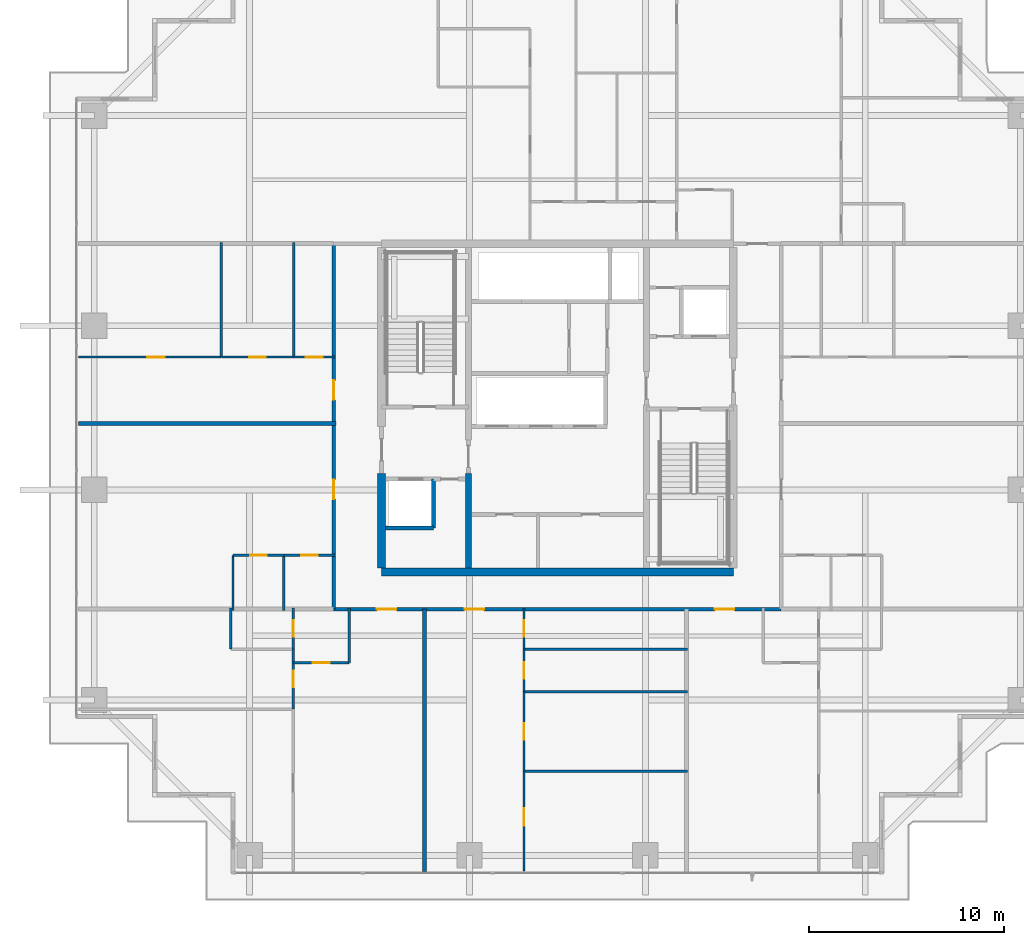
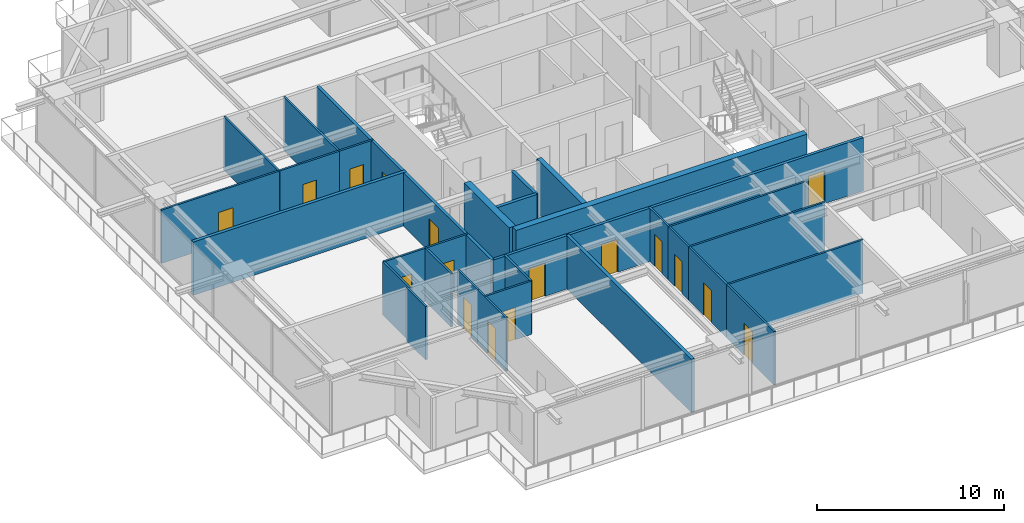
# One storey, part 24 of 34: 30 walls, 17 doors, 17 openings.
"""IFC4 building model written with IfcOpenShell, lengths in metres."""

from ifc_helpers import new_model, si_unit, direction, frame, frame_2d, origin, place, context, subcontext, project, spatial, rectangle, extrude, source, transform, mapped, material, layer, layer_set, type_object, element, fill, save


model = new_model("IFC4")

# Units and contexts
model_context = context("Model", 3, precision=1e-05, world=origin(), true_north=direction((0.0, 1.0)))
body_context = subcontext(model_context, "Body", "Model", "MODEL_VIEW")
ifc_project = project(units=[si_unit("LENGTHUNIT", "METRE"), si_unit("AREAUNIT", "SQUARE_METRE"), si_unit("VOLUMEUNIT", "CUBIC_METRE"), si_unit("PLANEANGLEUNIT", "RADIAN"), si_unit("MASSUNIT", "GRAM", prefix="KILO")], contexts=[model_context])

# Site, building, storey
site_placement = place(None, origin())
site = spatial("IfcSite", under=ifc_project, at=site_placement, CompositionType="ELEMENT")
building_placement = place(site_placement, origin())
building = spatial("IfcBuilding", under=site, at=building_placement, Name="Serunith Strait Residences", CompositionType="ELEMENT")
storey_placement = place(building_placement, frame((0.0, 0.0, 180.14990234375)))
storey = spatial("IfcBuildingStorey", under=building, at=storey_placement, Name="L45", CompositionType="ELEMENT", Elevation=180.14990234375)

# Wall, openings, doors
ifc_material_1 = material(Name="Fire-rated acoustic gypsum partition")
ifc_layer_1 = layer(ifc_material_1, 0.179931640625, Name="Fire-rated acoustic gypsum partition")
ifc_layer_set_1 = layer_set([ifc_layer_1], Name="Fire-rated acoustic gypsum partition")
wall_type_1 = type_object("IfcWallType", Name="IW-CORR-180", PredefinedType="PARTITIONING", material=ifc_layer_set_1)
wall_1_placement = place(storey_placement, frame((20.951904296875, 14.89990234375, 0.0), z_axis=(0.0, 0.0, 1.0), x_axis=(1.0, 0.0, 0.0)))
wall_1 = element("IfcWall", 1, at=wall_1_placement, inside=storey, type_object=wall_type_1, Name="L45 Partition Wall 026", PredefinedType="PARTITIONING", context=body_context, shape_type="SweptSolid", body=[
    extrude(rectangle(XDim=22.89599609375, YDim=0.179931640625, at=frame_2d((11.447998046875, 0.0))), origin(), (0.0, 0.0, 1.0), 3.489990234375),
])
opening_1_placement = place(wall_1_placement, frame((2.2109375, 0.0, 0.0)))
opening_1 = element("IfcOpeningElement", 2, at=opening_1_placement, cuts=wall_1, Name="Opening D-APT1000", PredefinedType="OPENING", context=body_context, shape_type="SweptSolid", body=[
    extrude(rectangle(XDim=1.0, YDim=2.14990234375, at=frame_2d((0.5, 1.074951171875))), frame((0.0, 0.10009765625, 0.0), z_axis=(0.0, -1.0, 0.0), x_axis=(1.0, 0.0, 0.0)), (0.0, 0.0, 1.0), 0.199951171875),
])
opening_2_placement = place(wall_1_placement, frame((6.699951171875, 0.0, 0.0)))
opening_2 = element("IfcOpeningElement", 3, at=opening_2_placement, cuts=wall_1, Name="Opening D-APT1000", PredefinedType="OPENING", context=body_context, shape_type="SweptSolid", body=[
    extrude(rectangle(XDim=1.0, YDim=2.14990234375, at=frame_2d((0.5, 1.074951171875))), frame((0.0, 0.10009765625, 0.0), z_axis=(0.0, -1.0, 0.0), x_axis=(1.0, 0.0, 0.0)), (0.0, 0.0, 1.0), 0.199951171875),
])
opening_3_placement = place(wall_1_placement, frame((19.509033203125, 0.0, 0.0)))
opening_3 = element("IfcOpeningElement", 4, at=opening_3_placement, cuts=wall_1, Name="Opening D-APT1000", PredefinedType="OPENING", context=body_context, shape_type="SweptSolid", body=[
    extrude(rectangle(XDim=1.0, YDim=2.14990234375, at=frame_2d((0.5, 1.074951171875))), frame((0.0, 0.10009765625, 0.0), z_axis=(0.0, -1.0, 0.0), x_axis=(1.0, 0.0, 0.0)), (0.0, 0.0, 1.0), 0.199951171875),
])
ifc_material_2 = material(Name="Solid timber engineered fire door", Category="wood")
door_type_1 = type_object("IfcDoorType", Name="ID-APT-1000", OperationType="NOTDEFINED", PredefinedType="DOOR", material=ifc_material_2)
shared_shape_1 = source(origin(), body_context, "Body", "SweptSolid", [
    extrude(rectangle(XDim=1.0, YDim=2.14990234375, at=frame_2d((0.5, 1.074951171875))), frame((0.0, 0.02490234375, 0.0), z_axis=(0.0, -1.0, 0.0), x_axis=(1.0, 0.0, 0.0)), (0.0, 0.0, 1.0), 0.050048828125),
])
door_1_placement = place(opening_1_placement, origin())
door_1 = element("IfcDoor", 5, at=door_1_placement, inside=storey, type_object=door_type_1, Name="L45 Unit 01 Entrance Door", OperationType="SINGLE_SWING_LEFT", OverallHeight=2.14990234375, OverallWidth=1.0, PredefinedType="DOOR", context=body_context, shape_type="MappedRepresentation", body=[
    mapped(shared_shape_1, transform((0.0, 0.0, 0.0), scale=1.0)),
])
fill(opening_1, door_1)
door_2_placement = place(opening_2_placement, origin())
door_2 = element("IfcDoor", 6, at=door_2_placement, inside=storey, type_object=door_type_1, Name="L45 Unit 02 Entrance Door", OperationType="SINGLE_SWING_RIGHT", OverallHeight=2.14990234375, OverallWidth=1.0, PredefinedType="DOOR", context=body_context, shape_type="MappedRepresentation", body=[
    mapped(shared_shape_1, transform((0.0, 0.0, 0.0), scale=1.0)),
])
fill(opening_2, door_2)
door_3_placement = place(opening_3_placement, origin())
door_3 = element("IfcDoor", 7, at=door_3_placement, inside=storey, type_object=door_type_1, Name="L45 Unit 03 Entrance Door", OperationType="SINGLE_SWING_LEFT", OverallHeight=2.14990234375, OverallWidth=1.0, PredefinedType="DOOR", context=body_context, shape_type="MappedRepresentation", body=[
    mapped(shared_shape_1, transform((0.0, 0.0, 0.0), scale=1.0)),
])
fill(opening_3, door_3)

wall_2_placement = place(storey_placement, frame((20.949951171875, 14.89990234375, 0.0), z_axis=(0.0, 0.0, 1.0), x_axis=(0.0, 1.0, 0.0)))
wall_2 = element("IfcWall", 8, at=wall_2_placement, inside=storey, type_object=wall_type_1, Name="L45 Partition Wall 027", PredefinedType="PARTITIONING", context=body_context, shape_type="SweptSolid", body=[
    extrude(rectangle(XDim=18.7001953125, YDim=0.179931640625, at=frame_2d((9.35009765625, 0.0))), origin(), (0.0, 0.0, 1.0), 3.489990234375),
])
opening_4_placement = place(wall_2_placement, frame((5.62890625, 0.0, 0.0)))
opening_4 = element("IfcOpeningElement", 9, at=opening_4_placement, cuts=wall_2, Name="Opening D-APT1000", PredefinedType="OPENING", context=body_context, shape_type="SweptSolid", body=[
    extrude(rectangle(XDim=1.0, YDim=2.14990234375, at=frame_2d((0.5, 1.074951171875))), frame((0.0, 0.10009765625, 0.0), z_axis=(0.0, -1.0, 0.0), x_axis=(1.0, 0.0, 0.0)), (0.0, 0.0, 1.0), 0.199951171875),
])
opening_5_placement = place(wall_2_placement, frame((10.708984375, 0.0, 0.0)))
opening_5 = element("IfcOpeningElement", 10, at=opening_5_placement, cuts=wall_2, Name="Opening D-APT1000", PredefinedType="OPENING", context=body_context, shape_type="SweptSolid", body=[
    extrude(rectangle(XDim=1.0, YDim=2.14990234375, at=frame_2d((0.5, 1.074951171875))), frame((0.0, 0.10009765625, 0.0), z_axis=(0.0, -1.0, 0.0), x_axis=(1.0, 0.0, 0.0)), (0.0, 0.0, 1.0), 0.199951171875),
])
door_4_placement = place(opening_4_placement, origin())
door_4 = element("IfcDoor", 11, at=door_4_placement, inside=storey, type_object=door_type_1, Name="L45 Unit 05 Entrance Door", OperationType="SINGLE_SWING_RIGHT", OverallHeight=2.14990234375, OverallWidth=1.0, PredefinedType="DOOR", context=body_context, shape_type="MappedRepresentation", body=[
    mapped(shared_shape_1, transform((0.0, 0.0, 0.0), scale=1.0)),
])
fill(opening_4, door_4)
door_5_placement = place(opening_5_placement, origin())
door_5 = element("IfcDoor", 12, at=door_5_placement, inside=storey, type_object=door_type_1, Name="L45 Unit 06 Entrance Door", OperationType="SINGLE_SWING_LEFT", OverallHeight=2.14990234375, OverallWidth=1.0, PredefinedType="DOOR", context=body_context, shape_type="MappedRepresentation", body=[
    mapped(shared_shape_1, transform((0.0, 0.0, 0.0), scale=1.0)),
])
fill(opening_5, door_5)

# Wall, opening, door
ifc_material_3 = material(Name="Lightweight steel-stud gypsum partition", Category="steel")
ifc_layer_2 = layer(ifc_material_3, 0.1201171875, Name="Lightweight steel-stud gypsum partition")
ifc_layer_set_2 = layer_set([ifc_layer_2], Name="Lightweight steel-stud gypsum partition")
wall_type_2 = type_object("IfcWallType", Name="IW-PART-120", PredefinedType="PARTITIONING", material=ifc_layer_set_2)
wall_3_placement = place(storey_placement, frame((18.889892578125, 12.14990234375, 0.0), z_axis=(0.0, 0.0, 1.0), x_axis=(1.0, 0.0, 0.0)))
wall_3 = element("IfcWall", 13, at=wall_3_placement, inside=storey, type_object=wall_type_2, Name="L45 Partition Wall 031", PredefinedType="PARTITIONING", context=body_context, shape_type="SweptSolid", body=[
    extrude(rectangle(XDim=2.85009765625, YDim=0.1201171875, at=frame_2d((1.425048828125, 0.0))), origin(), (0.0, 0.0, 1.0), 3.489990234375),
])
opening_6_placement = place(wall_3_placement, frame((1.0, 0.0, 0.0)))
opening_6 = element("IfcOpeningElement", 14, at=opening_6_placement, cuts=wall_3, Name="Opening D-RM850", PredefinedType="OPENING", context=body_context, shape_type="SweptSolid", body=[
    extrude(rectangle(XDim=0.85009765625, YDim=2.10009765625, at=frame_2d((0.425048828125, 1.050048828125))), frame((0.0, 0.070068359375, 0.0), z_axis=(0.0, -1.0, 0.0), x_axis=(1.0, 0.0, 0.0)), (0.0, 0.0, 1.0), 0.14013671875),
])
ifc_material_4 = material(Name="Engineered timber flush study and kitchen door", Category="wood")
door_type_2 = type_object("IfcDoorType", Name="ID-ROOM-850", OperationType="NOTDEFINED", PredefinedType="DOOR", material=ifc_material_4)
shared_shape_2 = source(origin(), body_context, "Body", "SweptSolid", [
    extrude(rectangle(XDim=0.85009765625, YDim=2.10009765625, at=frame_2d((0.425048828125, 1.050048828125))), frame((0.0, 0.02490234375, 0.0), z_axis=(0.0, -1.0, 0.0), x_axis=(1.0, 0.0, 0.0)), (0.0, 0.0, 1.0), 0.050048828125),
])
door_6_placement = place(opening_6_placement, origin())
door_6 = element("IfcDoor", 15, at=door_6_placement, inside=storey, type_object=door_type_2, Name="L45 Kitchen 4501 Door", OperationType="SINGLE_SWING_LEFT", OverallHeight=2.10009765625, OverallWidth=0.85009765625, PredefinedType="DOOR", context=body_context, shape_type="MappedRepresentation", body=[
    mapped(shared_shape_2, transform((0.0, 0.0, 0.0), scale=1.0)),
])
fill(opening_6, door_6)

# Walls
wall_4_placement = place(storey_placement, frame((21.739990234375, 12.14990234375, 0.0), z_axis=(0.0, 0.0, 1.0), x_axis=(0.0, 1.0, 0.0)))
element("IfcWall", 16, at=wall_4_placement, inside=storey, type_object=wall_type_2, Name="L45 Partition Wall 032", PredefinedType="PARTITIONING", context=body_context, shape_type="SweptSolid", body=[
    extrude(rectangle(XDim=2.81005859375, YDim=0.1201171875, at=frame_2d((1.405029296875, 0.0))), origin(), (0.0, 0.0, 1.0), 3.489990234375),
])
wall_5_placement = place(storey_placement, frame((15.68994140625, 12.85009765625, 0.0), z_axis=(0.0, 0.0, 1.0), x_axis=(0.0, 1.0, 0.0)))
element("IfcWall", 17, at=wall_5_placement, inside=storey, type_object=wall_type_2, Name="L45 Partition Wall 036", PredefinedType="PARTITIONING", context=body_context, shape_type="SweptSolid", body=[
    extrude(rectangle(XDim=2.10986328125, YDim=0.1201171875, at=frame_2d((1.054931640625, 0.0))), origin(), (0.0, 0.0, 1.0), 3.489990234375),
])

# Wall, opening, door
wall_6_placement = place(storey_placement, frame((18.889892578125, 9.782958984375, 0.0), z_axis=(0.0, 0.0, 1.0), x_axis=(0.0, 1.0, 0.0)))
wall_6 = element("IfcWall", 18, at=wall_6_placement, inside=storey, type_object=wall_type_2, Name="L45 Partition Wall 037", PredefinedType="PARTITIONING", context=body_context, shape_type="SweptSolid", body=[
    extrude(rectangle(XDim=3.067138671875, YDim=0.1201171875, at=frame_2d((1.53369140625, 0.0))), origin(), (0.0, 0.0, 1.0), 3.489990234375),
])
opening_7_placement = place(wall_6_placement, frame((1.10888671875, 0.0, 0.0)))
opening_7 = element("IfcOpeningElement", 19, at=opening_7_placement, cuts=wall_6, Name="Opening D-RM850", PredefinedType="OPENING", context=body_context, shape_type="SweptSolid", body=[
    extrude(rectangle(XDim=0.85009765625, YDim=2.10009765625, at=frame_2d((0.425048828125, 1.050048828125))), frame((0.0, 0.070068359375, 0.0), z_axis=(0.0, -1.0, 0.0), x_axis=(1.0, 0.0, 0.0)), (0.0, 0.0, 1.0), 0.14013671875),
])
door_7_placement = place(opening_7_placement, origin())
door_7 = element("IfcDoor", 20, at=door_7_placement, inside=storey, type_object=door_type_2, Name="L45 Walk-in Wardrobe 4501 Door", OperationType="SINGLE_SWING_LEFT", OverallHeight=2.10009765625, OverallWidth=0.85009765625, PredefinedType="DOOR", context=body_context, shape_type="MappedRepresentation", body=[
    mapped(shared_shape_2, transform((0.0, 0.0, 0.0), scale=1.0)),
])
fill(opening_7, door_7)

wall_7_placement = place(storey_placement, frame((18.889892578125, 12.85205078125, 0.0), z_axis=(0.0, 0.0, 1.0), x_axis=(0.0, 1.0, 0.0)))
wall_7 = element("IfcWall", 21, at=wall_7_placement, inside=storey, type_object=wall_type_2, Name="L45 Partition Wall 038", PredefinedType="PARTITIONING", context=body_context, shape_type="SweptSolid", body=[
    extrude(rectangle(XDim=2.10791015625, YDim=0.1201171875, at=frame_2d((1.053955078125, 0.0))), origin(), (0.0, 0.0, 1.0), 3.489990234375),
])
opening_8_placement = place(wall_7_placement, frame((0.62890625, 0.0, 0.0)))
opening_8 = element("IfcOpeningElement", 22, at=opening_8_placement, cuts=wall_7, Name="Opening D-BTH850", PredefinedType="OPENING", context=body_context, shape_type="SweptSolid", body=[
    extrude(rectangle(XDim=0.85009765625, YDim=2.10009765625, at=frame_2d((0.425048828125, 1.050048828125))), frame((0.0, 0.070068359375, 0.0), z_axis=(0.0, -1.0, 0.0), x_axis=(1.0, 0.0, 0.0)), (0.0, 0.0, 1.0), 0.14013671875),
])
ifc_material_5 = material(Name="Moisture-resistant timber bathroom door", Category="wood")
door_type_3 = type_object("IfcDoorType", Name="ID-BATH-850", OperationType="NOTDEFINED", PredefinedType="DOOR", material=ifc_material_5)
door_8_placement = place(opening_8_placement, origin())
door_8 = element("IfcDoor", 23, at=door_8_placement, inside=storey, type_object=door_type_3, Name="L45 Bathroom 4501 Door", OperationType="SINGLE_SWING_RIGHT", OverallHeight=2.10009765625, OverallWidth=0.85009765625, PredefinedType="DOOR", context=body_context, shape_type="MappedRepresentation", body=[
    mapped(shared_shape_2, transform((0.0, 0.0, 0.0), scale=1.0)),
])
fill(opening_8, door_8)

wall_8_placement = place(storey_placement, frame((30.68994140625, 1.4951171875, 0.0), z_axis=(0.0, 0.0, 1.0), x_axis=(0.0, 1.0, 0.0)))
wall_8 = element("IfcWall", 24, at=wall_8_placement, inside=storey, type_object=wall_type_2, Name="L45 Partition Wall 039", PredefinedType="PARTITIONING", context=body_context, shape_type="SweptSolid", body=[
    extrude(rectangle(XDim=5.11376953125, YDim=0.1201171875, at=frame_2d((2.556884765625, 0.0))), origin(), (0.0, 0.0, 1.0), 3.489990234375),
])
opening_9_placement = place(wall_8_placement, frame((2.318115234375, 0.0, 0.0)))
opening_9 = element("IfcOpeningElement", 25, at=opening_9_placement, cuts=wall_8, Name="Opening D-RM900", PredefinedType="OPENING", context=body_context, shape_type="SweptSolid", body=[
    extrude(rectangle(XDim=0.89990234375, YDim=2.10009765625, at=frame_2d((0.449951171875, 1.050048828125))), frame((0.0, 0.070068359375, 0.0), z_axis=(0.0, -1.0, 0.0), x_axis=(1.0, 0.0, 0.0)), (0.0, 0.0, 1.0), 0.14013671875),
])
ifc_material_6 = material(Name="Engineered timber flush bedroom door", Category="wood")
door_type_4 = type_object("IfcDoorType", Name="ID-ROOM-900", OperationType="NOTDEFINED", PredefinedType="DOOR", material=ifc_material_6)
shared_shape_3 = source(origin(), body_context, "Body", "SweptSolid", [
    extrude(rectangle(XDim=0.89990234375, YDim=2.10009765625, at=frame_2d((0.449951171875, 1.050048828125))), frame((0.0, 0.02490234375, 0.0), z_axis=(0.0, -1.0, 0.0), x_axis=(1.0, 0.0, 0.0)), (0.0, 0.0, 1.0), 0.050048828125),
])
door_9_placement = place(opening_9_placement, origin())
door_9 = element("IfcDoor", 26, at=door_9_placement, inside=storey, type_object=door_type_4, Name="L45 Master Bedroom 1 4502 Door", OperationType="SINGLE_SWING_LEFT", OverallHeight=2.10009765625, OverallWidth=0.89990234375, PredefinedType="DOOR", context=body_context, shape_type="MappedRepresentation", body=[
    mapped(shared_shape_3, transform((0.0, 0.0, 0.0), scale=1.0)),
])
fill(opening_9, door_9)

# Walls
for number, where, z_axis, x_axis, name in (
    (27, (30.68994140625, 6.60888671875, 0.0), (0.0, 0.0, 1.0), (1.0, 0.0, 0.0), "L45 Partition Wall 040"),
    (28, (30.68994140625, 10.672119140625, 0.0), (0.0, 0.0, 1.0), (1.0, 0.0, 0.0), "L45 Partition Wall 041"),
    (29, (30.68994140625, 12.85009765625, 0.0), (0.0, 0.0, 1.0), (1.0, 0.0, 0.0), "L45 Partition Wall 042"),
):
    element("IfcWall", number, at=place(storey_placement, frame(where, z_axis=z_axis, x_axis=x_axis)), inside=storey, type_object=wall_type_2, Name=name, PredefinedType="PARTITIONING", context=body_context, shape_type="SweptSolid", body=[
        extrude(rectangle(XDim=8.3701171875, YDim=0.1201171875, at=frame_2d((4.18505859375, 0.0))), origin(), (0.0, 0.0, 1.0), 3.489990234375),
    ])

# Wall, opening, door
wall_9_placement = place(storey_placement, frame((30.68994140625, 6.611083984375, 0.0), z_axis=(0.0, 0.0, 1.0), x_axis=(0.0, 1.0, 0.0)))
wall_9 = element("IfcWall", 30, at=wall_9_placement, inside=storey, type_object=wall_type_2, Name="L45 Partition Wall 043", PredefinedType="PARTITIONING", context=body_context, shape_type="SweptSolid", body=[
    extrude(rectangle(XDim=4.06103515625, YDim=0.1201171875, at=frame_2d((2.030517578125, 0.0))), origin(), (0.0, 0.0, 1.0), 3.489990234375),
])
opening_10_placement = place(wall_9_placement, frame((1.60595703125, 0.0, 0.0)))
opening_10 = element("IfcOpeningElement", 31, at=opening_10_placement, cuts=wall_9, Name="Opening D-RM850", PredefinedType="OPENING", context=body_context, shape_type="SweptSolid", body=[
    extrude(rectangle(XDim=0.85009765625, YDim=2.10009765625, at=frame_2d((0.425048828125, 1.050048828125))), frame((0.0, 0.070068359375, 0.0), z_axis=(0.0, -1.0, 0.0), x_axis=(1.0, 0.0, 0.0)), (0.0, 0.0, 1.0), 0.14013671875),
])
door_10_placement = place(opening_10_placement, origin())
door_10 = element("IfcDoor", 32, at=door_10_placement, inside=storey, type_object=door_type_2, Name="L45 Dining 4502 Door", OperationType="SINGLE_SWING_RIGHT", OverallHeight=2.10009765625, OverallWidth=0.85009765625, PredefinedType="DOOR", context=body_context, shape_type="MappedRepresentation", body=[
    mapped(shared_shape_2, transform((0.0, 0.0, 0.0), scale=1.0)),
])
fill(opening_10, door_10)

wall_10_placement = place(storey_placement, frame((30.68994140625, 10.674072265625, 0.0), z_axis=(0.0, 0.0, 1.0), x_axis=(0.0, 1.0, 0.0)))
wall_10 = element("IfcWall", 33, at=wall_10_placement, inside=storey, type_object=wall_type_2, Name="L45 Partition Wall 044", PredefinedType="PARTITIONING", context=body_context, shape_type="SweptSolid", body=[
    extrude(rectangle(XDim=2.176025390625, YDim=0.1201171875, at=frame_2d((1.087890625, 0.0))), origin(), (0.0, 0.0, 1.0), 3.489990234375),
])
opening_11_placement = place(wall_10_placement, frame((0.6630859375, 0.0, 0.0)))
opening_11 = element("IfcOpeningElement", 34, at=opening_11_placement, cuts=wall_10, Name="Opening D-RM850", PredefinedType="OPENING", context=body_context, shape_type="SweptSolid", body=[
    extrude(rectangle(XDim=0.85009765625, YDim=2.10009765625, at=frame_2d((0.425048828125, 1.050048828125))), frame((0.0, 0.070068359375, 0.0), z_axis=(0.0, -1.0, 0.0), x_axis=(1.0, 0.0, 0.0)), (0.0, 0.0, 1.0), 0.14013671875),
])
door_11_placement = place(opening_11_placement, origin())
door_11 = element("IfcDoor", 35, at=door_11_placement, inside=storey, type_object=door_type_2, Name="L45 Kitchen 4502 Door", OperationType="SINGLE_SWING_LEFT", OverallHeight=2.10009765625, OverallWidth=0.85009765625, PredefinedType="DOOR", context=body_context, shape_type="MappedRepresentation", body=[
    mapped(shared_shape_2, transform((0.0, 0.0, 0.0), scale=1.0)),
])
fill(opening_11, door_11)

wall_11_placement = place(storey_placement, frame((30.68994140625, 12.85205078125, 0.0), z_axis=(0.0, 0.0, 1.0), x_axis=(0.0, 1.0, 0.0)))
wall_11 = element("IfcWall", 36, at=wall_11_placement, inside=storey, type_object=wall_type_2, Name="L45 Partition Wall 045", PredefinedType="PARTITIONING", context=body_context, shape_type="SweptSolid", body=[
    extrude(rectangle(XDim=2.10791015625, YDim=0.1201171875, at=frame_2d((1.053955078125, 0.0))), origin(), (0.0, 0.0, 1.0), 3.489990234375),
])
opening_12_placement = place(wall_11_placement, frame((0.62890625, 0.0, 0.0)))
opening_12 = element("IfcOpeningElement", 37, at=opening_12_placement, cuts=wall_11, Name="Opening D-BTH850", PredefinedType="OPENING", context=body_context, shape_type="SweptSolid", body=[
    extrude(rectangle(XDim=0.85009765625, YDim=2.10009765625, at=frame_2d((0.425048828125, 1.050048828125))), frame((0.0, 0.070068359375, 0.0), z_axis=(0.0, -1.0, 0.0), x_axis=(1.0, 0.0, 0.0)), (0.0, 0.0, 1.0), 0.14013671875),
])
door_12_placement = place(opening_12_placement, origin())
door_12 = element("IfcDoor", 38, at=door_12_placement, inside=storey, type_object=door_type_3, Name="L45 Bathroom 4502 Door", OperationType="SINGLE_SWING_RIGHT", OverallHeight=2.10009765625, OverallWidth=0.85009765625, PredefinedType="DOOR", context=body_context, shape_type="MappedRepresentation", body=[
    mapped(shared_shape_2, transform((0.0, 0.0, 0.0), scale=1.0)),
])
fill(opening_12, door_12)

wall_12_placement = place(storey_placement, frame((15.800048828125, 17.64990234375, 0.0), z_axis=(0.0, 0.0, 1.0), x_axis=(1.0, 0.0, 0.0)))
wall_12 = element("IfcWall", 39, at=wall_12_placement, inside=storey, type_object=wall_type_2, Name="L45 Partition Wall 077", PredefinedType="PARTITIONING", context=body_context, shape_type="SweptSolid", body=[
    extrude(rectangle(XDim=2.599853515625, YDim=0.1201171875, at=frame_2d((1.2998046875, 0.0))), origin(), (0.0, 0.0, 1.0), 3.489990234375),
])
opening_13_placement = place(wall_12_placement, frame((0.875, 0.0, 0.0)))
opening_13 = element("IfcOpeningElement", 40, at=opening_13_placement, cuts=wall_12, Name="Opening D-RM850", PredefinedType="OPENING", context=body_context, shape_type="SweptSolid", body=[
    extrude(rectangle(XDim=0.85009765625, YDim=2.10009765625, at=frame_2d((0.425048828125, 1.050048828125))), frame((0.0, 0.070068359375, 0.0), z_axis=(0.0, -1.0, 0.0), x_axis=(1.0, 0.0, 0.0)), (0.0, 0.0, 1.0), 0.14013671875),
])
door_13_placement = place(opening_13_placement, origin())
door_13 = element("IfcDoor", 41, at=door_13_placement, inside=storey, type_object=door_type_2, Name="L45 Kitchen 4505 Door", OperationType="SINGLE_SWING_RIGHT", OverallHeight=2.10009765625, OverallWidth=0.85009765625, PredefinedType="DOOR", context=body_context, shape_type="MappedRepresentation", body=[
    mapped(shared_shape_2, transform((0.0, 0.0, 0.0), scale=1.0)),
])
fill(opening_13, door_13)

wall_13_placement = place(storey_placement, frame((18.402099609375, 17.64990234375, 0.0), z_axis=(0.0, 0.0, 1.0), x_axis=(1.0, 0.0, 0.0)))
wall_13 = element("IfcWall", 42, at=wall_13_placement, inside=storey, type_object=wall_type_2, Name="L45 Partition Wall 078", PredefinedType="PARTITIONING", context=body_context, shape_type="SweptSolid", body=[
    extrude(rectangle(XDim=2.60791015625, YDim=0.1201171875, at=frame_2d((1.303955078125, 0.0))), origin(), (0.0, 0.0, 1.0), 3.489990234375),
])
opening_14_placement = place(wall_13_placement, frame((0.87890625, 0.0, 0.0)))
opening_14 = element("IfcOpeningElement", 43, at=opening_14_placement, cuts=wall_13, Name="Opening D-BTH850", PredefinedType="OPENING", context=body_context, shape_type="SweptSolid", body=[
    extrude(rectangle(XDim=0.85009765625, YDim=2.10009765625, at=frame_2d((0.425048828125, 1.050048828125))), frame((0.0, 0.070068359375, 0.0), z_axis=(0.0, -1.0, 0.0), x_axis=(1.0, 0.0, 0.0)), (0.0, 0.0, 1.0), 0.14013671875),
])
door_14_placement = place(opening_14_placement, origin())
door_14 = element("IfcDoor", 44, at=door_14_placement, inside=storey, type_object=door_type_3, Name="L45 Bathroom 4505 Door", OperationType="SINGLE_SWING_LEFT", OverallHeight=2.10009765625, OverallWidth=0.85009765625, PredefinedType="DOOR", context=body_context, shape_type="MappedRepresentation", body=[
    mapped(shared_shape_2, transform((0.0, 0.0, 0.0), scale=1.0)),
])
fill(opening_14, door_14)

# Walls
for number, where, z_axis, x_axis, name in (
    (45, (18.39990234375, 14.840087890625, 0.0), (0.0, 0.0, 1.0), (0.0, 1.0, 0.0), "L45 Partition Wall 079"),
    (46, (15.800048828125, 14.840087890625, 0.0), (0.0, 0.0, 1.0), (0.0, 1.0, 0.0), "L45 Partition Wall 080"),
):
    element("IfcWall", number, at=place(storey_placement, frame(where, z_axis=z_axis, x_axis=x_axis)), inside=storey, type_object=wall_type_2, Name=name, PredefinedType="PARTITIONING", context=body_context, shape_type="SweptSolid", body=[
        extrude(rectangle(XDim=2.809814453125, YDim=0.1201171875, at=frame_2d((1.40478515625, 0.0))), origin(), (0.0, 0.0, 1.0), 3.489990234375),
    ])

# Wall, opening, door
wall_14_placement = place(storey_placement, frame((7.89501953125, 27.800048828125, 0.0), z_axis=(0.0, 0.0, 1.0), x_axis=(1.0, 0.0, 0.0)))
wall_14 = element("IfcWall", 47, at=wall_14_placement, inside=storey, type_object=wall_type_2, Name="L45 Partition Wall 081", PredefinedType="PARTITIONING", context=body_context, shape_type="SweptSolid", body=[
    extrude(rectangle(XDim=7.302978515625, YDim=0.1201171875, at=frame_2d((3.6513671875, 0.0))), origin(), (0.0, 0.0, 1.0), 3.489990234375),
])
opening_15_placement = place(wall_14_placement, frame((3.52197265625, 0.0, 0.0)))
opening_15 = element("IfcOpeningElement", 48, at=opening_15_placement, cuts=wall_14, Name="Opening D-RM900", PredefinedType="OPENING", context=body_context, shape_type="SweptSolid", body=[
    extrude(rectangle(XDim=0.89990234375, YDim=2.10009765625, at=frame_2d((0.449951171875, 1.050048828125))), frame((0.0, 0.070068359375, 0.0), z_axis=(0.0, -1.0, 0.0), x_axis=(1.0, 0.0, 0.0)), (0.0, 0.0, 1.0), 0.14013671875),
])
door_15_placement = place(opening_15_placement, origin())
door_15 = element("IfcDoor", 49, at=door_15_placement, inside=storey, type_object=door_type_4, Name="L45 Master Bedroom 1 4506 Door", OperationType="SINGLE_SWING_RIGHT", OverallHeight=2.10009765625, OverallWidth=0.89990234375, PredefinedType="DOOR", context=body_context, shape_type="MappedRepresentation", body=[
    mapped(shared_shape_3, transform((0.0, 0.0, 0.0), scale=1.0)),
])
fill(opening_15, door_15)

# Walls
for number, where, z_axis, x_axis, name in (
    (50, (15.197998046875, 27.800048828125, 0.0), (0.0, 0.0, 1.0), (0.0, 1.0, 0.0), "L45 Partition Wall 082"),
    (51, (18.89990234375, 27.800048828125, 0.0), (0.0, 0.0, 1.0), (0.0, 1.0, 0.0), "L45 Partition Wall 083"),
):
    element("IfcWall", number, at=place(storey_placement, frame(where, z_axis=z_axis, x_axis=x_axis)), inside=storey, type_object=wall_type_2, Name=name, PredefinedType="PARTITIONING", context=body_context, shape_type="SweptSolid", body=[
        extrude(rectangle(XDim=5.85986328125, YDim=0.1201171875, at=frame_2d((2.929931640625, 0.0))), origin(), (0.0, 0.0, 1.0), 3.489990234375),
    ])

# Wall, opening, door
wall_15_placement = place(storey_placement, frame((15.199951171875, 27.800048828125, 0.0), z_axis=(0.0, 0.0, 1.0), x_axis=(1.0, 0.0, 0.0)))
wall_15 = element("IfcWall", 52, at=wall_15_placement, inside=storey, type_object=wall_type_2, Name="L45 Partition Wall 084", PredefinedType="PARTITIONING", context=body_context, shape_type="SweptSolid", body=[
    extrude(rectangle(XDim=3.699951171875, YDim=0.1201171875, at=frame_2d((1.85009765625, 0.0))), origin(), (0.0, 0.0, 1.0), 3.489990234375),
])
opening_16_placement = place(wall_15_placement, frame((1.425048828125, 0.0, 0.0)))
opening_16 = element("IfcOpeningElement", 53, at=opening_16_placement, cuts=wall_15, Name="Opening D-RM850", PredefinedType="OPENING", context=body_context, shape_type="SweptSolid", body=[
    extrude(rectangle(XDim=0.85009765625, YDim=2.10009765625, at=frame_2d((0.425048828125, 1.050048828125))), frame((0.0, 0.070068359375, 0.0), z_axis=(0.0, -1.0, 0.0), x_axis=(1.0, 0.0, 0.0)), (0.0, 0.0, 1.0), 0.14013671875),
])
door_16_placement = place(opening_16_placement, origin())
door_16 = element("IfcDoor", 54, at=door_16_placement, inside=storey, type_object=door_type_2, Name="L45 Kitchen 4506 Door", OperationType="SINGLE_SWING_LEFT", OverallHeight=2.10009765625, OverallWidth=0.85009765625, PredefinedType="DOOR", context=body_context, shape_type="MappedRepresentation", body=[
    mapped(shared_shape_2, transform((0.0, 0.0, 0.0), scale=1.0)),
])
fill(opening_16, door_16)

wall_16_placement = place(storey_placement, frame((18.902099609375, 27.800048828125, 0.0), z_axis=(0.0, 0.0, 1.0), x_axis=(1.0, 0.0, 0.0)))
wall_16 = element("IfcWall", 55, at=wall_16_placement, inside=storey, type_object=wall_type_2, Name="L45 Partition Wall 085", PredefinedType="PARTITIONING", context=body_context, shape_type="SweptSolid", body=[
    extrude(rectangle(XDim=2.10791015625, YDim=0.1201171875, at=frame_2d((1.053955078125, 0.0))), origin(), (0.0, 0.0, 1.0), 3.489990234375),
])
opening_17_placement = place(wall_16_placement, frame((0.62890625, 0.0, 0.0)))
opening_17 = element("IfcOpeningElement", 56, at=opening_17_placement, cuts=wall_16, Name="Opening D-BTH850", PredefinedType="OPENING", context=body_context, shape_type="SweptSolid", body=[
    extrude(rectangle(XDim=0.85009765625, YDim=2.10009765625, at=frame_2d((0.425048828125, 1.050048828125))), frame((0.0, 0.070068359375, 0.0), z_axis=(0.0, -1.0, 0.0), x_axis=(1.0, 0.0, 0.0)), (0.0, 0.0, 1.0), 0.14013671875),
])
door_17_placement = place(opening_17_placement, origin())
door_17 = element("IfcDoor", 57, at=door_17_placement, inside=storey, type_object=door_type_3, Name="L45 Bathroom 4506 Door", OperationType="SINGLE_SWING_RIGHT", OverallHeight=2.10009765625, OverallWidth=0.85009765625, PredefinedType="DOOR", context=body_context, shape_type="MappedRepresentation", body=[
    mapped(shared_shape_2, transform((0.0, 0.0, 0.0), scale=1.0)),
])
fill(opening_17, door_17)

# Walls
ifc_material_7 = material(Name="Twin-stud acoustic gypsum board partition")
ifc_layer_3 = layer(ifc_material_7, 0.199951171875, Name="Twin-stud acoustic gypsum board partition")
ifc_layer_set_3 = layer_set([ifc_layer_3], Name="Twin-stud acoustic gypsum board partition")
wall_type_3 = type_object("IfcWallType", Name="IW-PARTY-200", PredefinedType="PARTITIONING", material=ifc_layer_set_3)
wall_17_placement = place(storey_placement, frame((25.60009765625, 1.48193359375, 0.0), z_axis=(0.0, 0.0, 1.0), x_axis=(0.0, 1.0, 0.0)))
element("IfcWall", 58, at=wall_17_placement, inside=storey, type_object=wall_type_3, Name="L45 Partition Wall 018", PredefinedType="PARTITIONING", context=body_context, shape_type="SweptSolid", body=[
    extrude(rectangle(XDim=13.41796875, YDim=0.199951171875, at=frame_2d((6.708984375, 0.0))), origin(), (0.0, 0.0, 1.0), 3.489990234375),
])
wall_18_placement = place(storey_placement, frame((7.882080078125, 24.39990234375, 0.0), z_axis=(0.0, 0.0, 1.0), x_axis=(1.0, 0.0, 0.0)))
element("IfcWall", 59, at=wall_18_placement, inside=storey, type_object=wall_type_3, Name="L45 Partition Wall 020", PredefinedType="PARTITIONING", context=body_context, shape_type="SweptSolid", body=[
    extrude(rectangle(XDim=13.18798828125, YDim=0.199951171875, at=frame_2d((6.593994140625, 0.0))), origin(), (0.0, 0.0, 1.0), 3.489990234375),
])
ifc_material_8 = material(Name="Autoclaved aerated concrete blockwork", Category="masonry")
ifc_layer_4 = layer(ifc_material_8, 0.199951171875, Name="Autoclaved aerated concrete blockwork")
ifc_layer_set_4 = layer_set([ifc_layer_4], Name="Autoclaved aerated concrete blockwork")
wall_type_4 = type_object("IfcWallType", Name="IW-SHAFT-200", PredefinedType="STANDARD", material=ifc_layer_set_4)
wall_19_placement = place(storey_placement, frame((26.050048828125, 19.050048828125, 0.0), z_axis=(0.0, 0.0, 1.0), x_axis=(0.0, 1.0, 0.0)))
element("IfcWall", 60, at=wall_19_placement, inside=storey, type_object=wall_type_4, Name="L45 Partition Wall 001", PredefinedType="STANDARD", context=body_context, shape_type="SweptSolid", body=[
    extrude(rectangle(XDim=2.5, YDim=0.199951171875, at=frame_2d((1.25, 0.0))), origin(), (0.0, 0.0, 1.0), 3.489990234375),
])
wall_20_placement = place(storey_placement, frame((23.60009765625, 19.050048828125, 0.0), z_axis=(0.0, 0.0, 1.0), x_axis=(1.0, 0.0, 0.0)))
element("IfcWall", 61, at=wall_20_placement, inside=storey, type_object=wall_type_4, Name="L45 Partition Wall 002", PredefinedType="STANDARD", context=body_context, shape_type="SweptSolid", body=[
    extrude(rectangle(XDim=2.449951171875, YDim=0.199951171875, at=frame_2d((1.22509765625, 0.0))), origin(), (0.0, 0.0, 1.0), 3.489990234375),
])
ifc_material_9 = material(Name="Concrete C70/85", Category="concrete")
ifc_layer_5 = layer(ifc_material_9, 0.300048828125, Name="Concrete C70/85")
ifc_layer_set_5 = layer_set([ifc_layer_5], Name="Concrete C70/85")
wall_type_5 = type_object("IfcWallType", Name="SW-300-C70", PredefinedType="SHEAR", material=ifc_layer_set_5)
wall_21_placement = place(storey_placement, frame((27.85009765625, 17.0, -0.260009765625), z_axis=(0.0, 0.0, 1.0), x_axis=(0.0, 1.0, 0.0)))
element("IfcWall", 62, at=wall_21_placement, inside=storey, type_object=wall_type_5, Name="L45 Core Internal West Web South Pier", PredefinedType="SHEAR", context=body_context, shape_type="SweptSolid", body=[
    extrude(rectangle(XDim=4.85009765625, YDim=0.300048828125, at=frame_2d((2.425048828125, 0.0))), origin(), (0.0, 0.0, 1.0), 3.748046875),
])
ifc_layer_6 = layer(ifc_material_9, 0.39990234375, Name="Concrete C70/85")
ifc_layer_set_6 = layer_set([ifc_layer_6], Name="Concrete C70/85")
wall_type_6 = type_object("IfcWallType", Name="SW-400-C70", PredefinedType="SHEAR", material=ifc_layer_set_6)
wall_22_placement = place(storey_placement, frame((23.39990234375, 16.800048828125, -0.260009765625), z_axis=(0.0, 0.0, 1.0), x_axis=(1.0, 0.0, 0.0)))
element("IfcWall", 63, at=wall_22_placement, inside=storey, type_object=wall_type_6, Name="L45 Core South Shear Wall", PredefinedType="SHEAR", context=body_context, shape_type="SweptSolid", body=[
    extrude(rectangle(XDim=18.0, YDim=0.39990234375, at=frame_2d((9.0, 0.0))), origin(), (0.0, 0.0, 1.0), 3.748046875),
])
wall_23_placement = place(storey_placement, frame((23.39990234375, 17.0, -0.260009765625), z_axis=(0.0, 0.0, 1.0), x_axis=(0.0, 1.0, 0.0)))
element("IfcWall", 64, at=wall_23_placement, inside=storey, type_object=wall_type_6, Name="L45 Core West Shear Wall South Pier", PredefinedType="SHEAR", context=body_context, shape_type="SweptSolid", body=[
    extrude(rectangle(XDim=4.85009765625, YDim=0.39990234375, at=frame_2d((2.425048828125, 0.0))), origin(), (0.0, 0.0, 1.0), 3.748046875),
])

save(model, "model.ifc")
